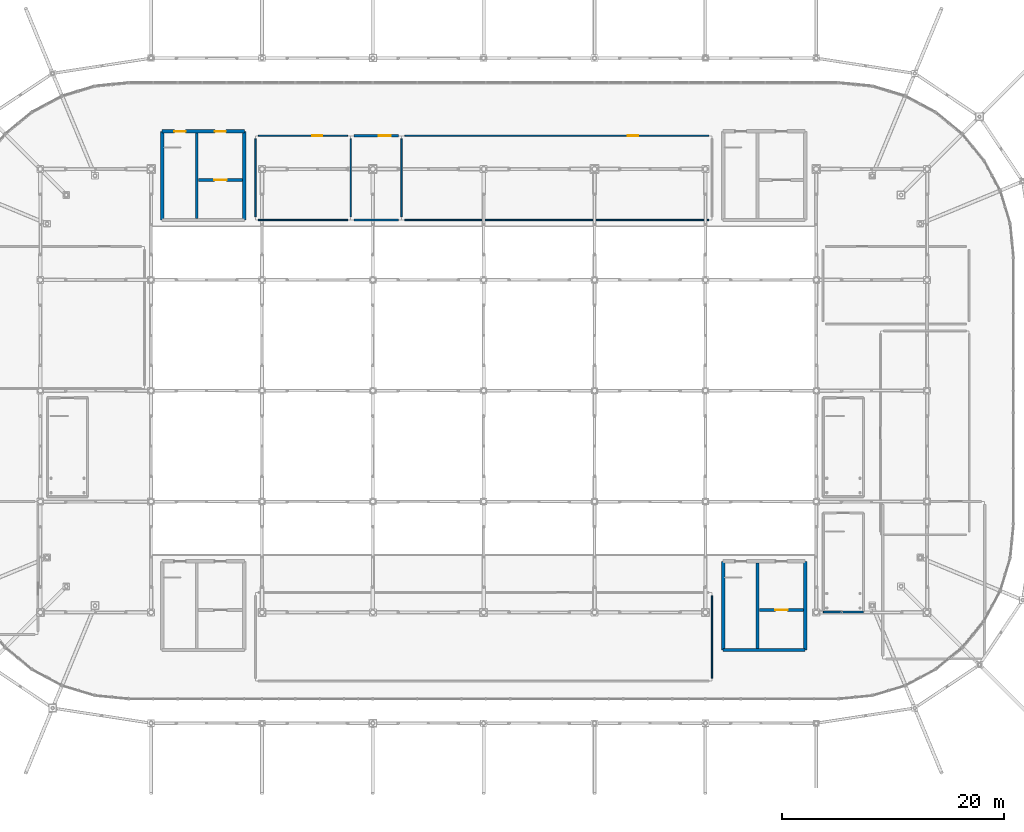
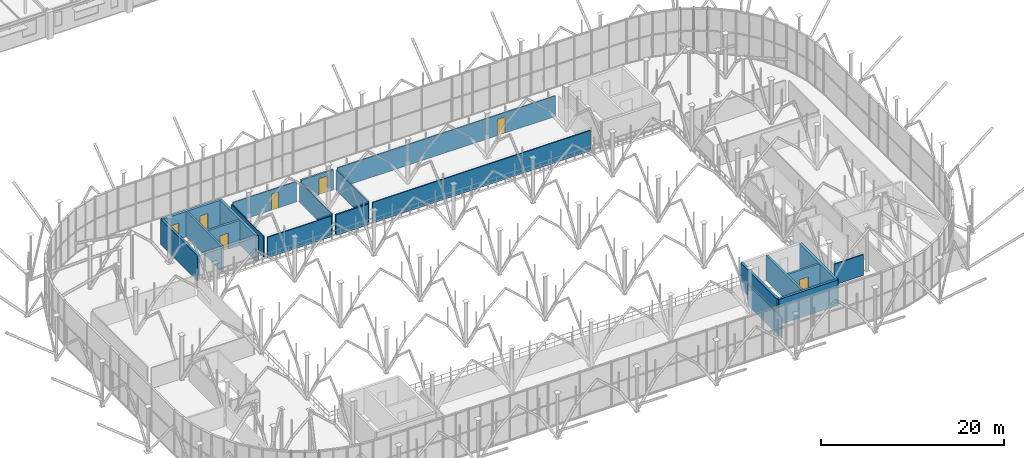
# One storey, part 97 of 109: 21 walls, 7 doors, 7 openings.
"""IFC4 building model written with IfcOpenShell, lengths in metres."""

from ifc_helpers import new_model, si_unit, derived_unit, direction, frame, frame_2d, origin, place, context, subcontext, project, spatial, rectangle, extrude, material, layer, layer_set, type_object, element, fill, save


model = new_model("IFC4")

# Units and contexts
model_context = context("Model", 3, precision=1e-05, world=origin(), true_north=direction((0.0, 1.0)))
body_context = subcontext(model_context, "Body", "Model", "MODEL_VIEW")
ifc_project = project(units=[si_unit("LENGTHUNIT", "METRE"), si_unit("AREAUNIT", "SQUARE_METRE"), si_unit("VOLUMEUNIT", "CUBIC_METRE"), si_unit("PLANEANGLEUNIT", "RADIAN"), si_unit("MASSUNIT", "GRAM", prefix="KILO"), derived_unit("THERMALTRANSMITTANCEUNIT", [(si_unit("POWERUNIT", "WATT"), 1), (si_unit("LENGTHUNIT", "METRE"), -2), (si_unit("THERMODYNAMICTEMPERATUREUNIT", "KELVIN"), -1)])], contexts=[model_context])

# Site, building, storey
site_placement = place(None, origin())
site = spatial("IfcSite", under=ifc_project, at=site_placement, CompositionType="ELEMENT")
building_placement = place(site_placement, origin())
building = spatial("IfcBuilding", under=site, at=building_placement, Name="Cinnabar Yard Market Hall", CompositionType="ELEMENT")
storey_placement = place(building_placement, frame((0.0, 0.0, 8.39990234375)))
storey = spatial("IfcBuildingStorey", under=building, at=storey_placement, Name="L02", CompositionType="ELEMENT", Elevation=8.39990234375)

# Walls
ifc_material_1 = material(Name="Acoustic steel-stud plasterboard", Category="steel")
ifc_layer_1 = layer(ifc_material_1, 0.1201171875)
ifc_layer_set_1 = layer_set([ifc_layer_1], Name="Acoustic steel-stud plasterboard")
wall_type_1 = type_object("IfcWallType", Name="WL-PT120", PredefinedType="PARTITIONING", material=ifc_layer_set_1)
wall_1_placement = place(storey_placement, frame((136.60009765625, 18.080078125, 0.0), z_axis=(0.0, 0.0, 1.0), x_axis=(0.0, 1.0, 0.0)))
element("IfcWall", 1, at=wall_1_placement, inside=storey, type_object=wall_type_1, Name="Partition Upper Balcony South Culinary Promenade east", PredefinedType="PARTITIONING", context=body_context, shape_type="SweptSolid", body=[
    extrude(rectangle(XDim=7.43994140625, YDim=0.1201171875, at=frame_2d((3.719970703125, 0.0), x_axis=(1.0, 0.0))), origin(), (0.0, 0.0, 1.0), 2.739990234375),
])
wall_2_placement = place(storey_placement, frame((95.679931640625, 59.39990234375, 0.0), z_axis=(0.0, 0.0, 1.0), x_axis=(1.0, 0.0, 0.0)))
element("IfcWall", 2, at=wall_2_placement, inside=storey, type_object=wall_type_1, Name="Partition Upper North-West Tasting Gallery south", PredefinedType="PARTITIONING", context=body_context, shape_type="SweptSolid", body=[
    extrude(rectangle(XDim=8.0400390625, YDim=0.1201171875, at=frame_2d((4.02001953125, 0.0), x_axis=(1.0, 0.0))), origin(), (0.0, 0.0, 1.0), 2.739990234375),
])
wall_3_placement = place(storey_placement, frame((104.0, 59.679931640625, 0.0), z_axis=(0.0, 0.0, 1.0), x_axis=(0.0, 1.0, 0.0)))
element("IfcWall", 3, at=wall_3_placement, inside=storey, type_object=wall_type_1, Name="Partition Upper North-West Tasting Gallery east", PredefinedType="PARTITIONING", context=body_context, shape_type="SweptSolid", body=[
    extrude(rectangle(XDim=7.0400390625, YDim=0.1201171875, at=frame_2d((3.52001953125, 0.0), x_axis=(1.0, 0.0))), origin(), (0.0, 0.0, 1.0), 2.739990234375),
])

# Wall, opening, door
wall_4_placement = place(storey_placement, frame((103.719970703125, 67.0, 0.0), z_axis=(0.0, 0.0, 1.0), x_axis=(-1.0, 0.0, 0.0)))
wall_4 = element("IfcWall", 4, at=wall_4_placement, inside=storey, type_object=wall_type_1, Name="Partition Upper North-West Tasting Gallery north", PredefinedType="PARTITIONING", context=body_context, shape_type="SweptSolid", body=[
    extrude(rectangle(XDim=8.0400390625, YDim=0.1201171875, at=frame_2d((4.02001953125, 0.0), x_axis=(1.0, 0.0))), origin(), (0.0, 0.0, 1.0), 2.739990234375),
])
opening_1_placement = place(wall_4_placement, frame((2.2783203125, 0.0, 0.0)))
opening_1 = element("IfcOpeningElement", 5, at=opening_1_placement, cuts=wall_4, Name="Opening ID-161", PredefinedType="OPENING", context=body_context, shape_type="SweptSolid", body=[
    extrude(rectangle(XDim=0.919921875, YDim=2.14990234375, at=frame_2d((0.4599609375, 1.074951171875), x_axis=(1.0, 0.0))), frame((0.0, 0.070068359375, 0.0), z_axis=(0.0, -1.0, 0.0), x_axis=(1.0, 0.0, 0.0)), (0.0, 0.0, 1.0), 0.14013671875),
])
ifc_material_2 = material(Name="Solid-core spotted gum timber", Category="wood")
door_type_1 = type_object("IfcDoorType", Name="DR-D07", OperationType="NOTDEFINED", PredefinedType="DOOR", material=ifc_material_2)
door_1_placement = place(opening_1_placement, origin())
door_1 = element("IfcDoor", 6, at=door_1_placement, inside=storey, type_object=door_type_1, Name="Interior Door ID-161", OperationType="SINGLE_SWING_RIGHT", OverallHeight=2.14990234375, OverallWidth=0.919921875, PredefinedType="DOOR", context=body_context, shape_type="SweptSolid", body=[
    extrude(rectangle(XDim=0.919921875, YDim=2.14990234375, at=frame_2d((0.4599609375, 1.074951171875), x_axis=(1.0, 0.0))), frame((0.0, 0.02490234375, 0.0), z_axis=(0.0, -1.0, 0.0), x_axis=(1.0, 0.0, 0.0)), (0.0, 0.0, 1.0), 0.050048828125),
])
fill(opening_1, door_1)

# Walls
wall_5_placement = place(storey_placement, frame((95.39990234375, 66.719970703125, 0.0), z_axis=(0.0, 0.0, 1.0), x_axis=(0.0, -1.0, 0.0)))
element("IfcWall", 7, at=wall_5_placement, inside=storey, type_object=wall_type_1, Name="Partition Upper North-West Tasting Gallery west", PredefinedType="PARTITIONING", context=body_context, shape_type="SweptSolid", body=[
    extrude(rectangle(XDim=7.0400390625, YDim=0.1201171875, at=frame_2d((3.52001953125, 0.0), x_axis=(1.0, 0.0))), origin(), (0.0, 0.0, 1.0), 2.739990234375),
])
wall_6_placement = place(storey_placement, frame((108.8798828125, 59.39990234375, 0.0), z_axis=(0.0, 0.0, 1.0), x_axis=(1.0, 0.0, 0.0)))
element("IfcWall", 8, at=wall_6_placement, inside=storey, type_object=wall_type_1, Name="Partition Upper North-East Botanical Lounge south", PredefinedType="PARTITIONING", context=body_context, shape_type="SweptSolid", body=[
    extrude(rectangle(XDim=27.440185546875, YDim=0.1201171875, at=frame_2d((13.72021484375, 0.0), x_axis=(1.0, 0.0))), origin(), (0.0, 0.0, 1.0), 2.739990234375),
])

# Wall, opening, door
wall_7_placement = place(storey_placement, frame((136.320068359375, 67.0, 0.0), z_axis=(0.0, 0.0, 1.0), x_axis=(-1.0, 0.0, 0.0)))
wall_7 = element("IfcWall", 9, at=wall_7_placement, inside=storey, type_object=wall_type_1, Name="Partition Upper North-East Botanical Lounge north", PredefinedType="PARTITIONING", context=body_context, shape_type="SweptSolid", body=[
    extrude(rectangle(XDim=27.440185546875, YDim=0.1201171875, at=frame_2d((13.72021484375, 0.0), x_axis=(1.0, 0.0))), origin(), (0.0, 0.0, 1.0), 2.739990234375),
])
opening_2_placement = place(wall_7_placement, frame((6.357666015625, 0.0, 0.0)))
opening_2 = element("IfcOpeningElement", 10, at=opening_2_placement, cuts=wall_7, Name="Opening ID-162", PredefinedType="OPENING", context=body_context, shape_type="SweptSolid", body=[
    extrude(rectangle(XDim=0.949951171875, YDim=2.14990234375, at=frame_2d((0.47509765625, 1.074951171875), x_axis=(1.0, 0.0))), frame((0.0, 0.070068359375, 0.0), z_axis=(0.0, -1.0, 0.0), x_axis=(1.0, 0.0, 0.0)), (0.0, 0.0, 1.0), 0.14013671875),
])
door_type_2 = type_object("IfcDoorType", Name="DR-D06", OperationType="NOTDEFINED", PredefinedType="DOOR", material=ifc_material_2)
door_2_placement = place(opening_2_placement, origin())
door_2 = element("IfcDoor", 11, at=door_2_placement, inside=storey, type_object=door_type_2, Name="Interior Door ID-162", OperationType="SINGLE_SWING_LEFT", OverallHeight=2.14990234375, OverallWidth=0.949951171875, PredefinedType="DOOR", context=body_context, shape_type="SweptSolid", body=[
    extrude(rectangle(XDim=0.949951171875, YDim=2.14990234375, at=frame_2d((0.47509765625, 1.074951171875), x_axis=(1.0, 0.0))), frame((0.0, 0.02490234375, 0.0), z_axis=(0.0, -1.0, 0.0), x_axis=(1.0, 0.0, 0.0)), (0.0, 0.0, 1.0), 0.050048828125),
])
fill(opening_2, door_2)

# Walls
wall_8_placement = place(storey_placement, frame((108.60009765625, 66.719970703125, 0.0), z_axis=(0.0, 0.0, 1.0), x_axis=(0.0, -1.0, 0.0)))
element("IfcWall", 12, at=wall_8_placement, inside=storey, type_object=wall_type_1, Name="Partition Upper North-East Botanical Lounge west", PredefinedType="PARTITIONING", context=body_context, shape_type="SweptSolid", body=[
    extrude(rectangle(XDim=7.0400390625, YDim=0.1201171875, at=frame_2d((3.52001953125, 0.0), x_axis=(1.0, 0.0))), origin(), (0.0, 0.0, 1.0), 2.739990234375),
])
ifc_material_3 = material(Name="Fire-rated steel-stud plasterboard", Category="steel")
ifc_layer_2 = layer(ifc_material_3, 0.14990234375)
ifc_layer_set_2 = layer_set([ifc_layer_2], Name="Fire-rated steel-stud plasterboard")
wall_type_2 = type_object("IfcWallType", Name="WL-PT150", PredefinedType="PARTITIONING", material=ifc_layer_set_2)
wall_9_placement = place(storey_placement, frame((146.639892578125, 24.0400390625, 0.0), z_axis=(0.0, 0.0, 1.0), x_axis=(1.0, 0.0, 0.0)))
element("IfcWall", 13, at=wall_9_placement, inside=storey, type_object=wall_type_2, Name="Stair ST-F5 Shaft Wall S L02", PredefinedType="PARTITIONING", context=body_context, shape_type="SweptSolid", body=[
    extrude(rectangle(XDim=3.6201171875, YDim=0.14990234375, at=frame_2d((1.81005859375, 0.0), x_axis=(1.0, 0.0))), origin(), (0.0, 0.0, 1.0), 2.780029296875),
])
ifc_material_4 = material(Name="Demountable timber-framed stall partition", Category="wood")
ifc_layer_3 = layer(ifc_material_4, 0.199951171875)
ifc_layer_set_3 = layer_set([ifc_layer_3], Name="Demountable timber-framed stall partition")
wall_type_3 = type_object("IfcWallType", Name="WL-PT200", PredefinedType="MOVABLE", material=ifc_layer_set_3)
wall_10_placement = place(storey_placement, frame((104.280029296875, 59.39990234375, 0.0), z_axis=(0.0, 0.0, 1.0), x_axis=(1.0, 0.0, 0.0)))
element("IfcWall", 14, at=wall_10_placement, inside=storey, type_object=wall_type_3, Name="Partition Upper North-Central Saffron Gallery south", PredefinedType="MOVABLE", context=body_context, shape_type="SweptSolid", body=[
    extrude(rectangle(XDim=4.0400390625, YDim=0.199951171875, at=frame_2d((2.02001953125, 0.0), x_axis=(1.0, 0.0))), origin(), (0.0, 0.0, 1.0), 2.739990234375),
])

# Wall, opening, door
wall_11_placement = place(storey_placement, frame((108.320068359375, 67.0, 0.0), z_axis=(0.0, 0.0, 1.0), x_axis=(-1.0, 0.0, 0.0)))
wall_11 = element("IfcWall", 15, at=wall_11_placement, inside=storey, type_object=wall_type_3, Name="Partition Upper North-Central Saffron Gallery north", PredefinedType="MOVABLE", context=body_context, shape_type="SweptSolid", body=[
    extrude(rectangle(XDim=4.0400390625, YDim=0.199951171875, at=frame_2d((2.02001953125, 0.0), x_axis=(1.0, 0.0))), origin(), (0.0, 0.0, 1.0), 2.739990234375),
])
opening_3_placement = place(wall_11_placement, frame((0.70556640625, 0.0, 0.0)))
opening_3 = element("IfcOpeningElement", 16, at=opening_3_placement, cuts=wall_11, Name="Opening ID-168", PredefinedType="OPENING", context=body_context, shape_type="SweptSolid", body=[
    extrude(rectangle(XDim=1.10009765625, YDim=2.14990234375, at=frame_2d((0.550048828125, 1.074951171875), x_axis=(1.0, 0.0))), frame((0.0, 0.10986328125, 0.0), z_axis=(0.0, -1.0, 0.0), x_axis=(1.0, 0.0, 0.0)), (0.0, 0.0, 1.0), 0.219970703125),
])
ifc_material_5 = material(Name="Anodised aluminium and acoustic glass", Category="aluminium")
door_type_3 = type_object("IfcDoorType", Name="DR-D09", OperationType="NOTDEFINED", PredefinedType="DOOR", material=ifc_material_5)
door_3_placement = place(opening_3_placement, origin())
door_3 = element("IfcDoor", 17, at=door_3_placement, inside=storey, type_object=door_type_3, Name="Interior Door ID-168", OperationType="SLIDING_TO_LEFT", OverallHeight=2.14990234375, OverallWidth=1.10009765625, PredefinedType="DOOR", context=body_context, shape_type="SweptSolid", body=[
    extrude(rectangle(XDim=1.10009765625, YDim=2.14990234375, at=frame_2d((0.550048828125, 1.074951171875), x_axis=(1.0, 0.0))), frame((0.0, 0.02490234375, 0.0), z_axis=(0.0, -1.0, 0.0), x_axis=(1.0, 0.0, 0.0)), (0.0, 0.0, 1.0), 0.050048828125),
])
fill(opening_3, door_3)

# Walls
ifc_material_6 = material(Name="Concrete 40 MPa", Category="concrete")
ifc_layer_4 = layer(ifc_material_6, 0.300048828125)
ifc_layer_set_4 = layer_set([ifc_layer_4], Name="Concrete 40 MPa")
wall_type_4 = type_object("IfcWallType", Name="WL-W-CORE", PredefinedType="SHEAR", material=ifc_layer_set_4)
for number, where, z_axis, x_axis, name in (
    (18, (137.60009765625, 28.60009765625, 0.0), (0.0, 0.0, 1.0), (0.0, -1.0, 0.0), "Core C2 West Shear Wall L02"),
    (19, (145.0, 20.60009765625, 0.0), (0.0, 0.0, 1.0), (0.0, 1.0, 0.0), "Core C2 East Shear Wall L02"),
):
    element("IfcWall", number, at=place(storey_placement, frame(where, z_axis=z_axis, x_axis=x_axis)), inside=storey, type_object=wall_type_4, Name=name, PredefinedType="SHEAR", context=body_context, shape_type="SweptSolid", body=[
        extrude(rectangle(XDim=8.0, YDim=0.300048828125, at=frame_2d((4.0, 0.0), x_axis=(1.0, 0.0))), origin(), (0.0, 0.0, 1.0), 3.360107421875),
    ])
wall_12_placement = place(storey_placement, frame((137.60009765625, 20.60009765625, 0.0), z_axis=(0.0, 0.0, 1.0), x_axis=(1.0, 0.0, 0.0)))
element("IfcWall", 20, at=wall_12_placement, inside=storey, type_object=wall_type_4, Name="Core C2 South Shear Wall L02", PredefinedType="SHEAR", context=body_context, shape_type="SweptSolid", body=[
    extrude(rectangle(XDim=7.39990234375, YDim=0.300048828125, at=frame_2d((3.699951171875, 0.0), x_axis=(1.0, 0.0))), origin(), (0.0, 0.0, 1.0), 3.360107421875),
])
for number, where, z_axis, x_axis, name in (
    (21, (87.0, 67.39990234375, 0.0), (0.0, 0.0, 1.0), (0.0, -1.0, 0.0), "Core C3 West Shear Wall L02"),
    (22, (94.39990234375, 59.39990234375, 0.0), (0.0, 0.0, 1.0), (0.0, 1.0, 0.0), "Core C3 East Shear Wall L02"),
):
    element("IfcWall", number, at=place(storey_placement, frame(where, z_axis=z_axis, x_axis=x_axis)), inside=storey, type_object=wall_type_4, Name=name, PredefinedType="SHEAR", context=body_context, shape_type="SweptSolid", body=[
        extrude(rectangle(XDim=8.0, YDim=0.300048828125, at=frame_2d((4.0, 0.0), x_axis=(1.0, 0.0))), origin(), (0.0, 0.0, 1.0), 3.360107421875),
    ])

# Wall, openings, doors
wall_13_placement = place(storey_placement, frame((94.39990234375, 67.39990234375, 0.0), z_axis=(0.0, 0.0, 1.0), x_axis=(-1.0, 0.0, 0.0)))
wall_13 = element("IfcWall", 23, at=wall_13_placement, inside=storey, type_object=wall_type_4, Name="Core C3 North Shear Wall L02", PredefinedType="SHEAR", context=body_context, shape_type="SweptSolid", body=[
    extrude(rectangle(XDim=7.39990234375, YDim=0.300048828125, at=frame_2d((3.699951171875, 0.0), x_axis=(1.0, 0.0))), origin(), (0.0, 0.0, 1.0), 3.360107421875),
])
opening_4_placement = place(wall_13_placement, frame((1.64990234375, 0.0, 0.0)))
opening_4 = element("IfcOpeningElement", 24, at=opening_4_placement, cuts=wall_13, Name="Opening CD-023", PredefinedType="OPENING", context=body_context, shape_type="SweptSolid", body=[
    extrude(rectangle(XDim=1.0, YDim=2.14990234375, at=frame_2d((0.5, 1.074951171875), x_axis=(1.0, 0.0))), frame((0.0, 0.159912109375, 0.0), z_axis=(0.0, -1.0, 0.0), x_axis=(1.0, 0.0, 0.0)), (0.0, 0.0, 1.0), 0.320068359375),
])
opening_5_placement = place(wall_13_placement, frame((5.300048828125, 0.0, 0.0)))
opening_5 = element("IfcOpeningElement", 25, at=opening_5_placement, cuts=wall_13, Name="Opening CD-024", PredefinedType="OPENING", context=body_context, shape_type="SweptSolid", body=[
    extrude(rectangle(XDim=1.0, YDim=2.14990234375, at=frame_2d((0.5, 1.074951171875), x_axis=(1.0, 0.0))), frame((0.0, 0.159912109375, 0.0), z_axis=(0.0, -1.0, 0.0), x_axis=(1.0, 0.0, 0.0)), (0.0, 0.0, 1.0), 0.320068359375),
])
door_type_4 = type_object("IfcDoorType", Name="DR-D05", OperationType="NOTDEFINED", PredefinedType="DOOR", material=ifc_material_2)
door_4_placement = place(opening_4_placement, origin())
door_4 = element("IfcDoor", 26, at=door_4_placement, inside=storey, type_object=door_type_4, Name="Core Door CD-023", OperationType="SINGLE_SWING_RIGHT", OverallHeight=2.14990234375, OverallWidth=1.0, PredefinedType="DOOR", context=body_context, shape_type="SweptSolid", body=[
    extrude(rectangle(XDim=1.0, YDim=2.14990234375, at=frame_2d((0.5, 1.074951171875), x_axis=(1.0, 0.0))), frame((0.0, 0.02490234375, 0.0), z_axis=(0.0, -1.0, 0.0), x_axis=(1.0, 0.0, 0.0)), (0.0, 0.0, 1.0), 0.050048828125),
])
fill(opening_4, door_4)
door_5_placement = place(opening_5_placement, origin())
door_5 = element("IfcDoor", 27, at=door_5_placement, inside=storey, type_object=door_type_4, Name="Core Door CD-024", OperationType="SINGLE_SWING_LEFT", OverallHeight=2.14990234375, OverallWidth=1.0, PredefinedType="DOOR", context=body_context, shape_type="SweptSolid", body=[
    extrude(rectangle(XDim=1.0, YDim=2.14990234375, at=frame_2d((0.5, 1.074951171875), x_axis=(1.0, 0.0))), frame((0.0, 0.02490234375, 0.0), z_axis=(0.0, -1.0, 0.0), x_axis=(1.0, 0.0, 0.0)), (0.0, 0.0, 1.0), 0.050048828125),
])
fill(opening_5, door_5)

# Wall
ifc_layer_5 = layer(ifc_material_6, 0.25)
ifc_layer_set_5 = layer_set([ifc_layer_5], Name="Concrete 40 MPa")
wall_type_5 = type_object("IfcWallType", Name="WL-W-SHAFT", PredefinedType="SHEAR", material=ifc_layer_set_5)
wall_14_placement = place(storey_placement, frame((140.715087890625, 20.75, 0.0), z_axis=(0.0, 0.0, 1.0), x_axis=(0.0, 1.0, 0.0)))
element("IfcWall", 28, at=wall_14_placement, inside=storey, type_object=wall_type_5, Name="Core C2 Shaft Divider L02", PredefinedType="SHEAR", context=body_context, shape_type="SweptSolid", body=[
    extrude(rectangle(XDim=7.699951171875, YDim=0.25, at=frame_2d((3.85009765625, 0.0), x_axis=(1.0, 0.0))), origin(), (0.0, 0.0, 1.0), 3.360107421875),
])

# Wall, opening, door
wall_15_placement = place(storey_placement, frame((140.8798828125, 24.219970703125, 0.0), z_axis=(0.0, 0.0, 1.0), x_axis=(1.0, 0.0, 0.0)))
wall_15 = element("IfcWall", 29, at=wall_15_placement, inside=storey, type_object=wall_type_5, Name="Core C2 Lift Front Wall L02", PredefinedType="SHEAR", context=body_context, shape_type="SweptSolid", body=[
    extrude(rectangle(XDim=3.97021484375, YDim=0.25, at=frame_2d((1.985107421875, 0.0), x_axis=(1.0, 0.0))), origin(), (0.0, 0.0, 1.0), 3.360107421875),
])
opening_6_placement = place(wall_15_placement, frame((1.43505859375, 0.0, 0.0)))
opening_6 = element("IfcOpeningElement", 30, at=opening_6_placement, cuts=wall_15, Name="Opening LD-LP-01-L02", PredefinedType="OPENING", context=body_context, shape_type="SweptSolid", body=[
    extrude(rectangle(XDim=1.10009765625, YDim=2.14990234375, at=frame_2d((0.550048828125, 1.074951171875), x_axis=(1.0, 0.0))), frame((0.0, 0.135009765625, 0.0), z_axis=(0.0, -1.0, 0.0), x_axis=(1.0, 0.0, 0.0)), (0.0, 0.0, 1.0), 0.27001953125),
])
ifc_material_7 = material(Name="Brushed stainless steel landing door", Category="steel")
door_type_5 = type_object("IfcDoorType", Name="DR-LD01", OperationType="NOTDEFINED", PredefinedType="DOOR", material=ifc_material_7)
door_6_placement = place(opening_6_placement, origin())
door_6 = element("IfcDoor", 31, at=door_6_placement, inside=storey, type_object=door_type_5, Name="Lift Landing Door LD-LP-01-L02", OperationType="SLIDING_TO_LEFT", OverallHeight=2.14990234375, OverallWidth=1.10009765625, PredefinedType="DOOR", context=body_context, shape_type="SweptSolid", body=[
    extrude(rectangle(XDim=1.10009765625, YDim=2.14990234375, at=frame_2d((0.550048828125, 1.074951171875), x_axis=(1.0, 0.0))), frame((0.0, 0.02490234375, 0.0), z_axis=(0.0, -1.0, 0.0), x_axis=(1.0, 0.0, 0.0)), (0.0, 0.0, 1.0), 0.050048828125),
])
fill(opening_6, door_6)

# Wall
wall_16_placement = place(storey_placement, frame((90.114990234375, 59.550048828125, 0.0), z_axis=(0.0, 0.0, 1.0), x_axis=(0.0, 1.0, 0.0)))
element("IfcWall", 32, at=wall_16_placement, inside=storey, type_object=wall_type_5, Name="Core C3 Shaft Divider L02", PredefinedType="SHEAR", context=body_context, shape_type="SweptSolid", body=[
    extrude(rectangle(XDim=7.699951171875, YDim=0.25, at=frame_2d((3.85009765625, 0.0), x_axis=(1.0, 0.0))), origin(), (0.0, 0.0, 1.0), 3.360107421875),
])

# Wall, opening, door
wall_17_placement = place(storey_placement, frame((90.280029296875, 63.02001953125, 0.0), z_axis=(0.0, 0.0, 1.0), x_axis=(1.0, 0.0, 0.0)))
wall_17 = element("IfcWall", 33, at=wall_17_placement, inside=storey, type_object=wall_type_5, Name="Core C3 Lift Front Wall L02", PredefinedType="SHEAR", context=body_context, shape_type="SweptSolid", body=[
    extrude(rectangle(XDim=3.969970703125, YDim=0.25, at=frame_2d((1.98486328125, 0.0), x_axis=(1.0, 0.0))), origin(), (0.0, 0.0, 1.0), 3.360107421875),
])
opening_7_placement = place(wall_17_placement, frame((1.43505859375, 0.0, 0.0)))
opening_7 = element("IfcOpeningElement", 34, at=opening_7_placement, cuts=wall_17, Name="Opening LD-LP-02-L02", PredefinedType="OPENING", context=body_context, shape_type="SweptSolid", body=[
    extrude(rectangle(XDim=1.10009765625, YDim=2.14990234375, at=frame_2d((0.550048828125, 1.074951171875), x_axis=(1.0, 0.0))), frame((0.0, 0.135009765625, 0.0), z_axis=(0.0, -1.0, 0.0), x_axis=(1.0, 0.0, 0.0)), (0.0, 0.0, 1.0), 0.27001953125),
])
door_7_placement = place(opening_7_placement, origin())
door_7 = element("IfcDoor", 35, at=door_7_placement, inside=storey, type_object=door_type_5, Name="Lift Landing Door LD-LP-02-L02", OperationType="SLIDING_TO_LEFT", OverallHeight=2.14990234375, OverallWidth=1.10009765625, PredefinedType="DOOR", context=body_context, shape_type="SweptSolid", body=[
    extrude(rectangle(XDim=1.10009765625, YDim=2.14990234375, at=frame_2d((0.550048828125, 1.074951171875), x_axis=(1.0, 0.0))), frame((0.0, 0.02490234375, 0.0), z_axis=(0.0, -1.0, 0.0), x_axis=(1.0, 0.0, 0.0)), (0.0, 0.0, 1.0), 0.050048828125),
])
fill(opening_7, door_7)

save(model, "model.ifc")
